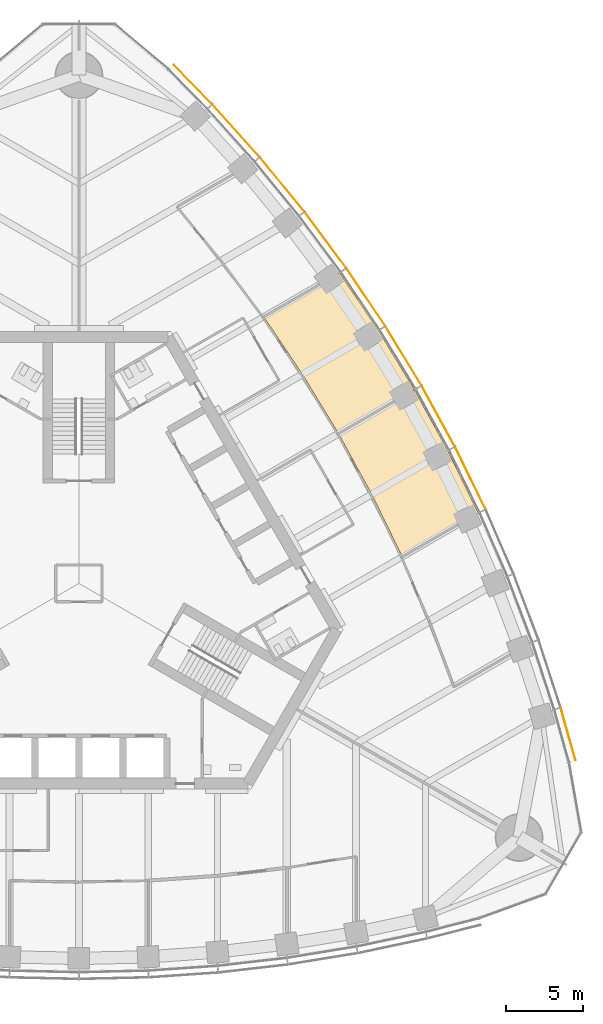
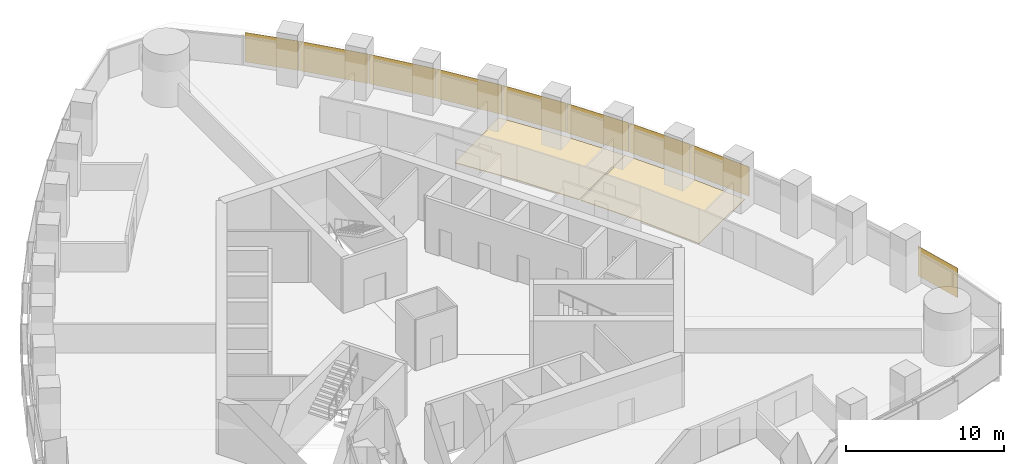
# One storey, part 17 of 19: 9 shading devices, 2 coverings.
"""IFC4 building model written with IfcOpenShell, lengths in metres."""

from ifc_helpers import new_model, si_unit, direction, frame, origin, origin_2d, place, context, subcontext, project, spatial, polyline, rectangle, outline, extrude, material, layer, layer_set, type_object, element, save


model = new_model("IFC4")

# Units and contexts
model_context = context("Model", 3, precision=1e-05, world=origin(), true_north=direction((0.0, 1.0)))
body_context = subcontext(model_context, "Body", "Model", "MODEL_VIEW")
ifc_project = project(units=[si_unit("LENGTHUNIT", "METRE"), si_unit("AREAUNIT", "SQUARE_METRE"), si_unit("VOLUMEUNIT", "CUBIC_METRE"), si_unit("PLANEANGLEUNIT", "RADIAN"), si_unit("MASSUNIT", "GRAM", prefix="KILO")], contexts=[model_context])

# Site, building, storey
site_placement = place(None, origin())
site = spatial("IfcSite", under=ifc_project, at=site_placement, CompositionType="ELEMENT")
building_placement = place(site_placement, origin())
building = spatial("IfcBuilding", under=site, at=building_placement, Name="Trefoil Bronze Tower", CompositionType="ELEMENT")
storey_placement = place(building_placement, frame((0.0, 0.0, 261.10009765625)))
storey = spatial("IfcBuildingStorey", under=building, at=storey_placement, Name="L60", CompositionType="ELEMENT", Elevation=261.10009765625)

# Shading devices
ifc_material_1 = material(Name="Perforated bronze sheet", Category="bronze")
ifc_layer_1 = layer(ifc_material_1, 0.0400390625)
ifc_layer_set_1 = layer_set([ifc_layer_1], Name="Bronze solar screen panel")
shading_device_type = type_object("IfcShadingDeviceType", Name="Bronze solar screen panel", PredefinedType="SHUTTER", material=ifc_layer_set_1)
shading_device_1_placement = place(storey_placement, frame((31.764892578125, -9.7890625, 0.0498046875), z_axis=(0.0, 0.0, 1.0), x_axis=(-0.270282222968, 0.962781138134, 0.0)))
element("IfcShadingDevice", 1, at=shading_device_1_placement, inside=storey, type_object=shading_device_type, Name="Solar screen CW-A L60 F2 bay 1", PredefinedType="SHUTTER", context=body_context, shape_type="SweptSolid", body=[
    extrude(rectangle(XDim=3.53369140625, YDim=0.0400390625, at=origin_2d()), origin(), (0.0, 0.0, 1.0), 2.27001953125),
])
shading_device_2_placement = place(storey_placement, frame((25.4169921875, 6.83740234375, 0.0498046875), z_axis=(0.0, 0.0, 1.0), x_axis=(-0.439129033334, 0.898424004623, 0.0)))
element("IfcShadingDevice", 2, at=shading_device_2_placement, inside=storey, type_object=shading_device_type, Name="Solar screen CW-A L60 F2 bay 5", PredefinedType="SHUTTER", context=body_context, shape_type="SweptSolid", body=[
    extrude(rectangle(XDim=4.480712890625, YDim=0.0400390625, at=origin_2d()), origin(), (0.0, 0.0, 1.0), 2.27001953125),
])
for number, where, z_axis, x_axis, name in (
    (3, (23.3349609375, 10.860107421875, 0.0498046875), (0.0, 0.0, 1.0), (-0.479974003504, 0.877282711536, 0.0), "Solar screen CW-A L60 F2 bay 6"),
    (4, (21.07275390625, 14.77880859375, 0.0498046875), (0.0, 0.0, 1.0), (-0.519762112739, 0.854311035959, 0.0), "Solar screen CW-A L60 F2 bay 7"),
):
    element("IfcShadingDevice", number, at=place(storey_placement, frame(where, z_axis=z_axis, x_axis=x_axis)), inside=storey, type_object=shading_device_type, Name=name, PredefinedType="SHUTTER", context=body_context, shape_type="SweptSolid", body=[
        extrude(rectangle(XDim=4.47119140625, YDim=0.0400390625, at=origin_2d()), origin(), (0.0, 0.0, 1.0), 2.27001953125),
    ])
shading_device_3_placement = place(storey_placement, frame((18.6298828125, 18.59326171875, 0.0498046875), z_axis=(0.0, 0.0, 1.0), x_axis=(-0.558493494706, 0.829508900718, 0.0)))
element("IfcShadingDevice", 5, at=shading_device_3_placement, inside=storey, type_object=shading_device_type, Name="Solar screen CW-A L60 F2 bay 8", PredefinedType="SHUTTER", context=body_context, shape_type="SweptSolid", body=[
    extrude(rectangle(XDim=4.480712890625, YDim=0.0400390625, at=origin_2d()), origin(), (0.0, 0.0, 1.0), 2.27001953125),
])
shading_device_4_placement = place(storey_placement, frame((16.005615234375, 22.302734375, 0.0498046875), z_axis=(0.0, 0.0, 1.0), x_axis=(-0.596161525977, 0.802864518425, 0.0)))
element("IfcShadingDevice", 6, at=shading_device_4_placement, inside=storey, type_object=shading_device_type, Name="Solar screen CW-A L60 F2 bay 9", PredefinedType="SHUTTER", context=body_context, shape_type="SweptSolid", body=[
    extrude(rectangle(XDim=4.5, YDim=0.0400390625, at=origin_2d()), origin(), (0.0, 0.0, 1.0), 2.27001953125),
])
shading_device_5_placement = place(storey_placement, frame((13.197509765625, 25.90625, 0.0498046875), z_axis=(0.0, 0.0, 1.0), x_axis=(-0.63275261301, 0.774354008661, 0.0)))
element("IfcShadingDevice", 7, at=shading_device_5_placement, inside=storey, type_object=shading_device_type, Name="Solar screen CW-A L60 F2 bay 10", PredefinedType="SHUTTER", context=body_context, shape_type="SweptSolid", body=[
    extrude(rectangle(XDim=4.529296875, YDim=0.0400390625, at=origin_2d()), origin(), (0.0, 0.0, 1.0), 2.27001953125),
])
shading_device_6_placement = place(storey_placement, frame((10.20166015625, 29.401611328125, 0.0498046875), z_axis=(0.0, 0.0, 1.0), x_axis=(-0.668245744076, 0.743940606181, 0.0)))
element("IfcShadingDevice", 8, at=shading_device_6_placement, inside=storey, type_object=shading_device_type, Name="Solar screen CW-A L60 F2 bay 11", PredefinedType="SHUTTER", context=body_context, shape_type="SweptSolid", body=[
    extrude(rectangle(XDim=4.5693359375, YDim=0.0400390625, at=origin_2d()), origin(), (0.0, 0.0, 1.0), 2.27001953125),
])
shading_device_7_placement = place(storey_placement, frame((7.40478515625, 32.40380859375, 0.0498046875), z_axis=(0.0, 0.0, 1.0), x_axis=(-0.698651812425, 0.715461840349, 0.0)))
element("IfcShadingDevice", 9, at=shading_device_7_placement, inside=storey, type_object=shading_device_type, Name="Solar screen CW-A L60 F2 bay 12", PredefinedType="SHUTTER", context=body_context, shape_type="SweptSolid", body=[
    extrude(rectangle(XDim=3.53369140625, YDim=0.0400390625, at=origin_2d()), origin(), (0.0, 0.0, 1.0), 2.27001953125),
])

# Coverings
ifc_material_2 = material(Name="Raised access floor panels", Category="steel")
ifc_layer_2 = layer(ifc_material_2, 0.050048828125)
ifc_layer_set_2 = layer_set([ifc_layer_2], Name="Raised access floor 150")
covering_type = type_object("IfcCoveringType", Name="Raised access floor 150", PredefinedType="FLOORING", material=ifc_layer_set_2)
covering_1_placement = place(storey_placement, frame((0.0, 0.0, 0.099853515625)))
element("IfcCovering", 10, at=covering_1_placement, inside=storey, type_object=covering_type, Name="Raised floor L60 Executive office F2", PredefinedType="FLOORING", context=body_context, shape_type="SweptSolid", body=[
    extrude(outline(polyline([(19.44140625, 16.420654296875), (21.781005859375, 12.5751953125), (20.4560546875, 11.810302734375), (20.426025390625, 11.8623046875), (16.822265625, 9.781494140625), (14.51318359375, 13.576904296875), (14.4619140625, 13.545654296875), (14.51171875, 13.5791015625), (12.0283203125, 17.267578125), (15.62158203125, 19.34228515625), (15.591796875, 19.394287109375), (16.92236328125, 20.162353515625), (19.44140625, 16.420654296875)])), origin(), (0.0, 0.0, 1.0), 0.050048828125),
])
covering_2_placement = place(storey_placement, frame((0.0, 0.0, 0.099853515625)))
element("IfcCovering", 11, at=covering_2_placement, inside=storey, type_object=covering_type, Name="Raised floor L60 Executive office F2", PredefinedType="FLOORING", context=body_context, shape_type="SweptSolid", body=[
    extrude(outline(polyline([(23.94140625, 8.62646484375), (25.92236328125, 4.573974609375), (24.591796875, 3.8056640625), (24.561767578125, 3.857666015625), (20.968505859375, 1.783203125), (19.015869140625, 5.77783203125), (18.9619140625, 5.75146484375), (19.014404296875, 5.7802734375), (16.882080078125, 9.677734375), (20.486083984375, 11.75830078125), (20.4560546875, 11.810302734375), (21.781005859375, 12.5751953125), (23.94140625, 8.62646484375)])), origin(), (0.0, 0.0, 1.0), 0.050048828125),
])

save(model, "model.ifc")
